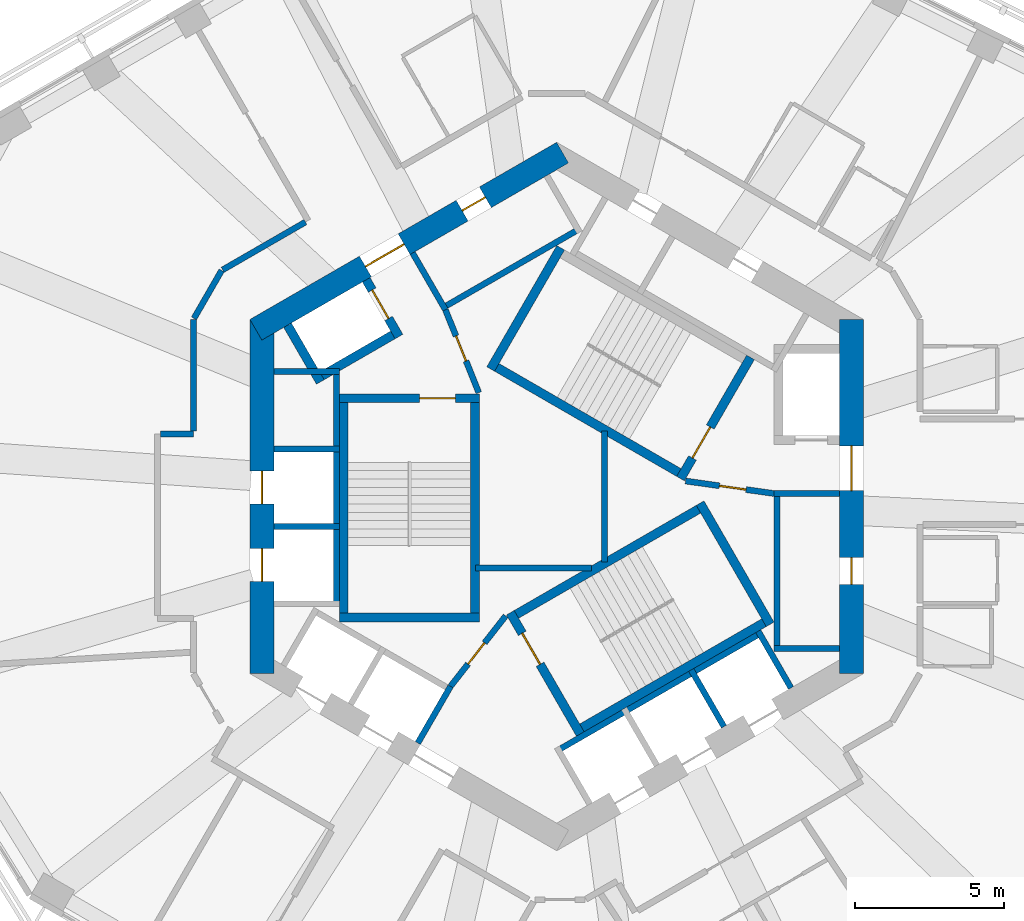
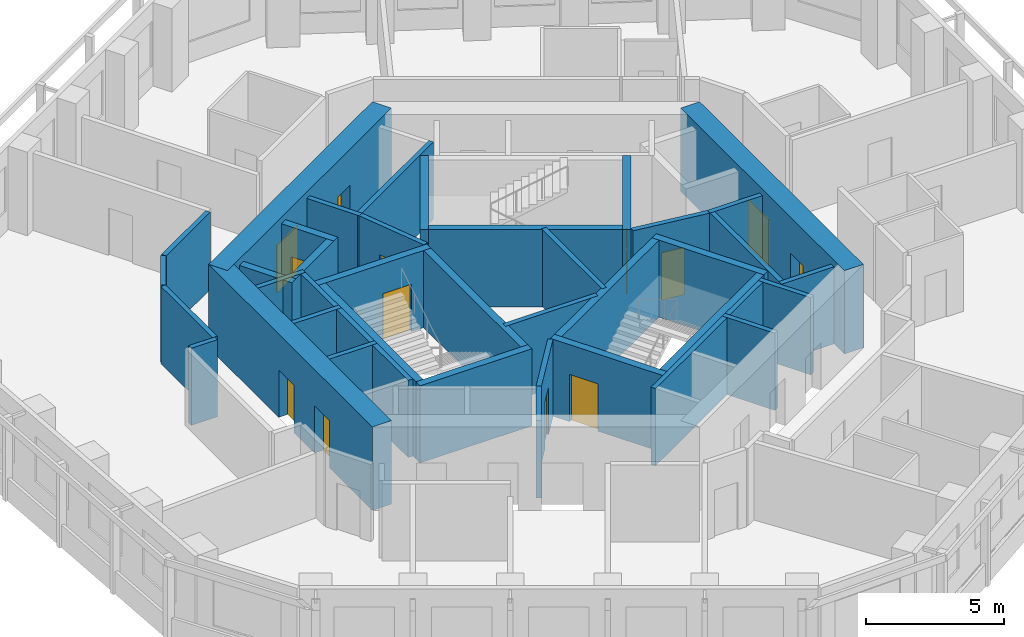
# One storey, part 5 of 11: 39 walls, 13 doors, 13 openings.
"""IFC4 building model written with IfcOpenShell, lengths in metres."""

from ifc_helpers import new_model, si_unit, direction, frame, frame_2d, origin, place, context, subcontext, project, spatial, rectangle, extrude, material, layer, layer_set, type_object, element, fill, save


model = new_model("IFC4")

# Units and contexts
model_context = context("Model", 3, precision=1e-05, world=origin(), true_north=direction((0.0, 1.0)))
body_context = subcontext(model_context, "Body", "Model", "MODEL_VIEW")
ifc_project = project(units=[si_unit("LENGTHUNIT", "METRE"), si_unit("AREAUNIT", "SQUARE_METRE"), si_unit("VOLUMEUNIT", "CUBIC_METRE"), si_unit("PLANEANGLEUNIT", "RADIAN"), si_unit("MASSUNIT", "GRAM", prefix="KILO")], contexts=[model_context])

# Site, building, storey
site_placement = place(None, origin())
site = spatial("IfcSite", under=ifc_project, at=site_placement, CompositionType="ELEMENT")
building_placement = place(site_placement, origin())
building = spatial("IfcBuilding", under=site, at=building_placement, Name="Vanh Sen Convention Tower", CompositionType="ELEMENT")
storey_placement = place(building_placement, frame((0.0, 0.0, 221.699951171875)))
storey = spatial("IfcBuildingStorey", under=building, at=storey_placement, Name="L54", CompositionType="ELEMENT", Elevation=221.699951171875)

# Wall, openings, doors
ifc_material_1 = material(Name="Concrete C60/75", Category="concrete")
ifc_layer_1 = layer(ifc_material_1, 0.800048828125)
ifc_layer_set_1 = layer_set([ifc_layer_1], Name="Concrete C60/75")
wall_type_1 = type_object("IfcWallType", Name="Core outer wall 800 C60/75", PredefinedType="SHEAR", material=ifc_layer_set_1)
wall_1_placement = place(storey_placement, frame((9.89990234375, -5.94677734375, 0.0), z_axis=(0.0, 0.0, 1.0), x_axis=(0.0, 1.0, 0.0)))
wall_1 = element("IfcWall", 1, at=wall_1_placement, inside=storey, type_object=wall_type_1, Name="Core wall face E L54", PredefinedType="SHEAR", context=body_context, shape_type="SweptSolid", body=[
    extrude(rectangle(XDim=11.8935546875, YDim=0.800048828125, at=frame_2d((5.94677734375, 0.0))), origin(), (0.0, 0.0, 1.0), 3.699951171875),
])
opening_1_placement = place(wall_1_placement, frame((6.146728515625, 0.0, 0.0)))
opening_1 = element("IfcOpeningElement", 2, at=opening_1_placement, cuts=wall_1, Name="Opening D52001", PredefinedType="OPENING", context=body_context, shape_type="SweptSolid", body=[
    extrude(rectangle(XDim=1.5, YDim=2.10009765625, at=frame_2d((0.75, 1.050048828125))), frame((0.0, 0.409912109375, 0.0), z_axis=(0.0, -1.0, 0.0), x_axis=(1.0, 0.0, 0.0)), (0.0, 0.0, 1.0), 0.820068359375),
])
opening_2_placement = place(wall_1_placement, frame((2.99658203125, 0.0, 0.0)))
opening_2 = element("IfcOpeningElement", 3, at=opening_2_placement, cuts=wall_1, Name="Opening D52010", PredefinedType="OPENING", context=body_context, shape_type="SweptSolid", body=[
    extrude(rectangle(XDim=0.89990234375, YDim=2.10009765625, at=frame_2d((0.449951171875, 1.050048828125))), frame((0.0, 0.409912109375, 0.0), z_axis=(0.0, -1.0, 0.0), x_axis=(1.0, 0.0, 0.0)), (0.0, 0.0, 1.0), 0.820068359375),
])
ifc_material_2 = material(Name="Steel S355", Category="steel")
door_type_1 = type_object("IfcDoorType", Name="Plant door 900", OperationType="SINGLE_SWING_LEFT", PredefinedType="DOOR", material=ifc_material_2)
door_1_placement = place(opening_2_placement, origin())
door_1 = element("IfcDoor", 4, at=door_1_placement, inside=storey, type_object=door_type_1, Name="Plant door D52010", OperationType="SINGLE_SWING_LEFT", OverallHeight=2.10009765625, OverallWidth=0.89990234375, PredefinedType="DOOR", context=body_context, shape_type="SweptSolid", body=[
    extrude(rectangle(XDim=0.89990234375, YDim=2.10009765625, at=frame_2d((0.449951171875, 1.050048828125))), frame((0.0, 0.02490234375, 0.0), z_axis=(0.0, -1.0, 0.0), x_axis=(1.0, 0.0, 0.0)), (0.0, 0.0, 1.0), 0.050048828125),
])
fill(opening_2, door_1)
door_type_2 = type_object("IfcDoorType", Name="Stair lobby door 1500", OperationType="DOUBLE_DOOR_SINGLE_SWING", PredefinedType="DOOR", material=ifc_material_2)
door_2_placement = place(opening_1_placement, origin())
door_2 = element("IfcDoor", 5, at=door_2_placement, inside=storey, type_object=door_type_2, Name="Stair lobby door D52001", OperationType="DOUBLE_DOOR_SINGLE_SWING", OverallHeight=2.10009765625, OverallWidth=1.5, PredefinedType="DOOR", context=body_context, shape_type="SweptSolid", body=[
    extrude(rectangle(XDim=1.5, YDim=2.10009765625, at=frame_2d((0.75, 1.050048828125))), frame((0.0, 0.02490234375, 0.0), z_axis=(0.0, -1.0, 0.0), x_axis=(1.0, 0.0, 0.0)), (0.0, 0.0, 1.0), 0.050048828125),
])
fill(opening_1, door_2)

wall_2_placement = place(storey_placement, frame((0.199951171875, 11.547119140625, 0.0), z_axis=(0.0, 0.0, 1.0), x_axis=(-0.866023897231, -0.500002609418, 0.0)))
wall_2 = element("IfcWall", 6, at=wall_2_placement, inside=storey, type_object=wall_type_1, Name="Core wall face NW L54", PredefinedType="SHEAR", context=body_context, shape_type="SweptSolid", body=[
    extrude(rectangle(XDim=11.8935546875, YDim=0.800048828125, at=frame_2d((5.94677734375, 0.0))), origin(), (0.0, 0.0, 1.0), 3.699951171875),
])
opening_3_placement = place(wall_2_placement, frame((6.146728515625, 0.0, 0.0)))
opening_3 = element("IfcOpeningElement", 7, at=opening_3_placement, cuts=wall_2, Name="Opening D52002", PredefinedType="OPENING", context=body_context, shape_type="SweptSolid", body=[
    extrude(rectangle(XDim=1.5, YDim=2.10009765625, at=frame_2d((0.75, 1.050048828125))), frame((0.0, 0.409912109375, 0.0), z_axis=(0.0, -1.0, 0.0), x_axis=(1.0, 0.0, 0.0)), (0.0, 0.0, 1.0), 0.820068359375),
])
opening_4_placement = place(wall_2_placement, frame((2.99658203125, 0.0, 0.0)))
opening_4 = element("IfcOpeningElement", 8, at=opening_4_placement, cuts=wall_2, Name="Opening D52013", PredefinedType="OPENING", context=body_context, shape_type="SweptSolid", body=[
    extrude(rectangle(XDim=0.89990234375, YDim=2.10009765625, at=frame_2d((0.449951171875, 1.050048828125))), frame((0.0, 0.409912109375, 0.0), z_axis=(0.0, -1.0, 0.0), x_axis=(1.0, 0.0, 0.0)), (0.0, 0.0, 1.0), 0.820068359375),
])
door_3_placement = place(opening_4_placement, origin())
door_3 = element("IfcDoor", 9, at=door_3_placement, inside=storey, type_object=door_type_1, Name="Plant door D52013", OperationType="SINGLE_SWING_LEFT", OverallHeight=2.10009765625, OverallWidth=0.89990234375, PredefinedType="DOOR", context=body_context, shape_type="SweptSolid", body=[
    extrude(rectangle(XDim=0.89990234375, YDim=2.10009765625, at=frame_2d((0.449951171875, 1.050048828125))), frame((0.0, 0.02490234375, 0.0), z_axis=(0.0, -1.0, 0.0), x_axis=(1.0, 0.0, 0.0)), (0.0, 0.0, 1.0), 0.050048828125),
])
fill(opening_4, door_3)
door_4_placement = place(opening_3_placement, origin())
door_4 = element("IfcDoor", 10, at=door_4_placement, inside=storey, type_object=door_type_2, Name="Stair lobby door D52002", OperationType="DOUBLE_DOOR_SINGLE_SWING", OverallHeight=2.10009765625, OverallWidth=1.5, PredefinedType="DOOR", context=body_context, shape_type="SweptSolid", body=[
    extrude(rectangle(XDim=1.5, YDim=2.10009765625, at=frame_2d((0.75, 1.050048828125))), frame((0.0, 0.02490234375, 0.0), z_axis=(0.0, -1.0, 0.0), x_axis=(1.0, 0.0, 0.0)), (0.0, 0.0, 1.0), 0.050048828125),
])
fill(opening_3, door_4)

wall_3_placement = place(storey_placement, frame((-9.89990234375, 5.94677734375, 0.0), z_axis=(0.0, 0.0, 1.0), x_axis=(0.0, -1.0, 0.0)))
wall_3 = element("IfcWall", 11, at=wall_3_placement, inside=storey, type_object=wall_type_1, Name="Core wall face W L54", PredefinedType="SHEAR", context=body_context, shape_type="SweptSolid", body=[
    extrude(rectangle(XDim=11.8935546875, YDim=0.800048828125, at=frame_2d((5.94677734375, 0.0))), origin(), (0.0, 0.0, 1.0), 3.699951171875),
])
opening_5_placement = place(wall_3_placement, frame((5.0966796875, 0.0, 0.0)))
opening_5 = element("IfcOpeningElement", 12, at=opening_5_placement, cuts=wall_3, Name="Opening LD-HR1", PredefinedType="OPENING", context=body_context, shape_type="SweptSolid", body=[
    extrude(rectangle(XDim=1.10009765625, YDim=2.10009765625, at=frame_2d((0.550048828125, 1.050048828125))), frame((0.0, 0.409912109375, 0.0), z_axis=(0.0, -1.0, 0.0), x_axis=(1.0, 0.0, 0.0)), (0.0, 0.0, 1.0), 0.820068359375),
])
opening_6_placement = place(wall_3_placement, frame((7.69677734375, 0.0, 0.0)))
opening_6 = element("IfcOpeningElement", 13, at=opening_6_placement, cuts=wall_3, Name="Opening LD-HR2", PredefinedType="OPENING", context=body_context, shape_type="SweptSolid", body=[
    extrude(rectangle(XDim=1.10009765625, YDim=2.10009765625, at=frame_2d((0.550048828125, 1.050048828125))), frame((0.0, 0.409912109375, 0.0), z_axis=(0.0, -1.0, 0.0), x_axis=(1.0, 0.0, 0.0)), (0.0, 0.0, 1.0), 0.820068359375),
])
ifc_material_3 = material(Name="Stainless steel", Category="steel")
door_type_3 = type_object("IfcDoorType", Name="Lift landing door 1100", OperationType="DOUBLE_DOOR_SLIDING", PredefinedType="DOOR", material=ifc_material_3)
door_5_placement = place(opening_5_placement, origin())
door_5 = element("IfcDoor", 14, at=door_5_placement, inside=storey, type_object=door_type_3, Name="Lift HR1 landing door LD-HR1", OperationType="DOUBLE_DOOR_SLIDING", OverallHeight=2.10009765625, OverallWidth=1.10009765625, PredefinedType="DOOR", context=body_context, shape_type="SweptSolid", body=[
    extrude(rectangle(XDim=1.10009765625, YDim=2.10009765625, at=frame_2d((0.550048828125, 1.050048828125))), frame((0.0, 0.02490234375, 0.0), z_axis=(0.0, -1.0, 0.0), x_axis=(1.0, 0.0, 0.0)), (0.0, 0.0, 1.0), 0.050048828125),
])
fill(opening_5, door_5)
door_6_placement = place(opening_6_placement, origin())
door_6 = element("IfcDoor", 15, at=door_6_placement, inside=storey, type_object=door_type_3, Name="Lift HR2 landing door LD-HR2", OperationType="DOUBLE_DOOR_SLIDING", OverallHeight=2.10009765625, OverallWidth=1.10009765625, PredefinedType="DOOR", context=body_context, shape_type="SweptSolid", body=[
    extrude(rectangle(XDim=1.10009765625, YDim=2.10009765625, at=frame_2d((0.550048828125, 1.050048828125))), frame((0.0, 0.02490234375, 0.0), z_axis=(0.0, -1.0, 0.0), x_axis=(1.0, 0.0, 0.0)), (0.0, 0.0, 1.0), 0.050048828125),
])
fill(opening_6, door_6)

# Walls
ifc_material_4 = material(Name="Masonry blockwork", Category="masonry")
ifc_layer_2 = layer(ifc_material_4, 0.199951171875)
ifc_layer_set_2 = layer_set([ifc_layer_2], Name="Masonry blockwork")
wall_type_2 = type_object("IfcWallType", Name="Core partition 200", PredefinedType="PARTITIONING", material=ifc_layer_set_2)
wall_4_placement = place(storey_placement, frame((-2.719970703125, -2.39990234375, 0.0), z_axis=(0.0, 0.0, 1.0), x_axis=(1.0, 0.0, 0.0)))
element("IfcWall", 16, at=wall_4_placement, inside=storey, type_object=wall_type_2, Name="Core partition L54", PredefinedType="PARTITIONING", context=body_context, shape_type="SweptSolid", body=[
    extrude(rectangle(XDim=3.883056640625, YDim=0.199951171875, at=frame_2d((1.94140625, 0.0))), origin(), (0.0, 0.0, 1.0), 3.420166015625),
])
wall_5_placement = place(storey_placement, frame((1.60009765625, -2.198486328125, 0.0), z_axis=(0.0, 0.0, 1.0), x_axis=(0.0, 1.0, 0.0)))
element("IfcWall", 17, at=wall_5_placement, inside=storey, type_object=wall_type_2, Name="Core partition L54", PredefinedType="PARTITIONING", context=body_context, shape_type="SweptSolid", body=[
    extrude(rectangle(XDim=4.39697265625, YDim=0.199951171875, at=frame_2d((2.198486328125, 0.0))), origin(), (0.0, 0.0, 1.0), 3.420166015625),
])
ifc_material_5 = material(Name="Gypsum board on steel studs with mineral wool", Category="steel")
ifc_layer_3 = layer(ifc_material_5, 0.199951171875)
ifc_layer_set_3 = layer_set([ifc_layer_3], Name="Gypsum board on steel studs with mineral wool")
wall_type_3 = type_object("IfcWallType", Name="Corridor partition wall 200", PredefinedType="PARTITIONING", material=ifc_layer_set_3)
wall_6_placement = place(storey_placement, frame((-12.199951171875, 2.10107421875, 0.0), z_axis=(0.0, 0.0, 1.0), x_axis=(-1.0, 0.0, 0.0)))
element("IfcWall", 18, at=wall_6_placement, inside=storey, type_object=wall_type_3, Name="Corridor partition wall 200", PredefinedType="PARTITIONING", context=body_context, shape_type="SweptSolid", body=[
    extrude(rectangle(XDim=1.10107421875, YDim=0.199951171875, at=frame_2d((0.550537109375, 0.0))), origin(), (0.0, 0.0, 1.0), 3.420166015625),
])
wall_7_placement = place(storey_placement, frame((-12.199951171875, 5.94677734375, 0.0), z_axis=(0.0, 0.0, 1.0), x_axis=(0.0, -1.0, 0.0)))
element("IfcWall", 19, at=wall_7_placement, inside=storey, type_object=wall_type_3, Name="Corridor partition wall 200", PredefinedType="PARTITIONING", context=body_context, shape_type="SweptSolid", body=[
    extrude(rectangle(XDim=3.745849609375, YDim=0.199951171875, at=frame_2d((1.873046875, 0.0))), origin(), (0.0, 0.0, 1.0), 3.420166015625),
])
wall_8_placement = place(storey_placement, frame((-11.25, 7.592041015625, 0.0), z_axis=(0.0, 0.0, 1.0), x_axis=(-0.499964847546, -0.866045698112, 0.0)))
element("IfcWall", 20, at=wall_8_placement, inside=storey, type_object=wall_type_3, Name="Corridor partition wall 200", PredefinedType="PARTITIONING", context=body_context, shape_type="SweptSolid", body=[
    extrude(rectangle(XDim=1.860107421875, YDim=0.199951171875, at=frame_2d((0.93017578125, 0.0))), origin(), (0.0, 0.0, 1.0), 3.420166015625),
])
wall_9_placement = place(storey_placement, frame((-8.4365234375, 9.216552734375, 0.0), z_axis=(0.0, 0.0, 1.0), x_axis=(-0.866005660673, -0.500034194513, 0.0)))
element("IfcWall", 21, at=wall_9_placement, inside=storey, type_object=wall_type_3, Name="Corridor partition wall 200", PredefinedType="PARTITIONING", context=body_context, shape_type="SweptSolid", body=[
    extrude(rectangle(XDim=3.208740234375, YDim=0.199951171875, at=frame_2d((1.6044921875, 0.0))), origin(), (0.0, 0.0, 1.0), 3.420166015625),
])

# Wall, opening, door
ifc_layer_4 = layer(ifc_material_1, 0.300048828125)
ifc_layer_set_4 = layer_set([ifc_layer_4], Name="Concrete C60/75")
wall_type_4 = type_object("IfcWallType", Name="Fire-fighting lift shaft wall 300", PredefinedType="SHEAR", material=ifc_layer_set_4)
wall_10_placement = place(storey_placement, frame((-5.29541015625, 5.3720703125, 0.0), z_axis=(0.0, 0.0, 1.0), x_axis=(-0.500077893725, 0.86598042715, 0.0)))
wall_10 = element("IfcWall", 22, at=wall_10_placement, inside=storey, type_object=wall_type_4, Name="Fire-fighting lift shaft wall L54", PredefinedType="SHEAR", context=body_context, shape_type="SweptSolid", body=[
    extrude(rectangle(XDim=2.199951171875, YDim=0.300048828125, at=frame_2d((1.10009765625, 0.0))), origin(), (0.0, 0.0, 1.0), 3.420166015625),
])
opening_7_placement = place(wall_10_placement, frame((0.699951171875, 0.0, 0.0)))
opening_7 = element("IfcOpeningElement", 23, at=opening_7_placement, cuts=wall_10, Name="Opening LD-FF2", PredefinedType="OPENING", context=body_context, shape_type="SweptSolid", body=[
    extrude(rectangle(XDim=1.10009765625, YDim=2.10009765625, at=frame_2d((0.550048828125, 1.050048828125))), frame((0.0, 0.159912109375, 0.0), z_axis=(0.0, -1.0, 0.0), x_axis=(1.0, 0.0, 0.0)), (0.0, 0.0, 1.0), 0.320068359375),
])
door_type_4 = type_object("IfcDoorType", Name="Fire-fighting lift landing door 1100", OperationType="DOUBLE_DOOR_SLIDING", PredefinedType="DOOR", material=ifc_material_3)
door_7_placement = place(opening_7_placement, origin())
door_7 = element("IfcDoor", 24, at=door_7_placement, inside=storey, type_object=door_type_4, Name="Lift FF2 landing door LD-FF2", OperationType="DOUBLE_DOOR_SLIDING", OverallHeight=2.10009765625, OverallWidth=1.10009765625, PredefinedType="DOOR", context=body_context, shape_type="SweptSolid", body=[
    extrude(rectangle(XDim=1.10009765625, YDim=2.10009765625, at=frame_2d((0.550048828125, 1.050048828125))), frame((0.0, 0.02490234375, 0.0), z_axis=(0.0, -1.0, 0.0), x_axis=(1.0, 0.0, 0.0)), (0.0, 0.0, 1.0), 0.050048828125),
])
fill(opening_7, door_7)

# Walls
wall_11_placement = place(storey_placement, frame((-5.240478515625, 5.576904296875, 0.0), z_axis=(0.0, 0.0, 1.0), x_axis=(-0.866014461049, -0.500018952895, 0.0)))
element("IfcWall", 25, at=wall_11_placement, inside=storey, type_object=wall_type_4, Name="Fire-fighting lift shaft wall L54", PredefinedType="SHEAR", context=body_context, shape_type="SweptSolid", body=[
    extrude(rectangle(XDim=3.349853515625, YDim=0.300048828125, at=frame_2d((1.6748046875, 0.0))), origin(), (0.0, 0.0, 1.0), 3.420166015625),
])
wall_12_placement = place(storey_placement, frame((-7.936767578125, 3.846923828125, 0.0), z_axis=(0.0, 0.0, 1.0), x_axis=(-0.50002983664, 0.866008176907, 0.0)))
element("IfcWall", 26, at=wall_12_placement, inside=storey, type_object=wall_type_4, Name="Fire-fighting lift shaft wall L54", PredefinedType="SHEAR", context=body_context, shape_type="SweptSolid", body=[
    extrude(rectangle(XDim=2.199951171875, YDim=0.300048828125, at=frame_2d((1.10009765625, 0.0))), origin(), (0.0, 0.0, 1.0), 3.420166015625),
])
ifc_material_6 = material(Name="Concrete C40/50", Category="concrete")
ifc_layer_5 = layer(ifc_material_6, 0.199951171875)
ifc_layer_set_5 = layer_set([ifc_layer_5], Name="Concrete C40/50")
wall_type_5 = type_object("IfcWallType", Name="Lift shaft wall 200", PredefinedType="PARTITIONING", material=ifc_layer_set_5)
wall_13_placement = place(storey_placement, frame((7.39990234375, -5.199951171875, 0.0), z_axis=(0.0, 0.0, 1.0), x_axis=(0.0, 1.0, 0.0)))
element("IfcWall", 27, at=wall_13_placement, inside=storey, type_object=wall_type_5, Name="Lift shaft wall L54", PredefinedType="PARTITIONING", context=body_context, shape_type="SweptSolid", body=[
    extrude(rectangle(XDim=5.39990234375, YDim=0.199951171875, at=frame_2d((2.699951171875, 0.0))), origin(), (0.0, 0.0, 1.0), 3.420166015625),
])
for number, where, z_axis, x_axis, name in (
    (28, (7.300048828125, -5.10009765625, 0.0), (0.0, 0.0, 1.0), (1.0, 0.0, 0.0), "Lift shaft wall L54"),
    (29, (7.300048828125, 0.10009765625, 0.0), (0.0, 0.0, 1.0), (1.0, 0.0, 0.0), "Lift shaft wall L54"),
):
    element("IfcWall", number, at=place(storey_placement, frame(where, z_axis=z_axis, x_axis=x_axis)), inside=storey, type_object=wall_type_5, Name=name, PredefinedType="PARTITIONING", context=body_context, shape_type="SweptSolid", body=[
        extrude(rectangle(XDim=2.199951171875, YDim=0.199951171875, at=frame_2d((1.10009765625, 0.0))), origin(), (0.0, 0.0, 1.0), 3.420166015625),
    ])
wall_14_placement = place(storey_placement, frame((0.80322265625, 9.008544921875, 0.0), z_axis=(0.0, 0.0, 1.0), x_axis=(-0.866028230842, -0.499995103361, 0.0)))
element("IfcWall", 30, at=wall_14_placement, inside=storey, type_object=wall_type_5, Name="Lift shaft wall L54", PredefinedType="PARTITIONING", context=body_context, shape_type="SweptSolid", body=[
    extrude(rectangle(XDim=5.39990234375, YDim=0.199951171875, at=frame_2d((2.699951171875, 0.0))), origin(), (0.0, 0.0, 1.0), 3.420166015625),
])
wall_15_placement = place(storey_placement, frame((-3.736572265625, 6.27197265625, 0.0), z_axis=(0.0, 0.0, 1.0), x_axis=(-0.50002983664, 0.866008176907, 0.0)))
element("IfcWall", 31, at=wall_15_placement, inside=storey, type_object=wall_type_5, Name="Lift shaft wall L54", PredefinedType="PARTITIONING", context=body_context, shape_type="SweptSolid", body=[
    extrude(rectangle(XDim=2.199951171875, YDim=0.199951171875, at=frame_2d((1.10009765625, 0.0))), origin(), (0.0, 0.0, 1.0), 3.420166015625),
])
wall_16_placement = place(storey_placement, frame((-7.39990234375, 4.300048828125, 0.0), z_axis=(0.0, 0.0, 1.0), x_axis=(0.0, -1.0, 0.0)))
element("IfcWall", 32, at=wall_16_placement, inside=storey, type_object=wall_type_5, Name="Lift shaft wall L54", PredefinedType="PARTITIONING", context=body_context, shape_type="SweptSolid", body=[
    extrude(rectangle(XDim=8.0, YDim=0.199951171875, at=frame_2d((4.0, 0.0))), origin(), (0.0, 0.0, 1.0), 3.420166015625),
])
for number, where, z_axis, x_axis, name in (
    (33, (-7.300048828125, 4.199951171875, 0.0), (0.0, 0.0, 1.0), (-1.0, 0.0, 0.0), "Lift shaft wall L54"),
    (34, (-7.300048828125, 1.60009765625, 0.0), (0.0, 0.0, 1.0), (-1.0, 0.0, 0.0), "Lift shaft wall L54"),
    (35, (-7.300048828125, -1.0, 0.0), (0.0, 0.0, 1.0), (-1.0, 0.0, 0.0), "Lift shaft wall L54"),
):
    element("IfcWall", number, at=place(storey_placement, frame(where, z_axis=z_axis, x_axis=x_axis)), inside=storey, type_object=wall_type_5, Name=name, PredefinedType="PARTITIONING", context=body_context, shape_type="SweptSolid", body=[
        extrude(rectangle(XDim=2.199951171875, YDim=0.199951171875, at=frame_2d((1.10009765625, 0.0))), origin(), (0.0, 0.0, 1.0), 3.420166015625),
    ])
wall_17_placement = place(storey_placement, frame((-3.5634765625, -6.3720703125, 0.0), z_axis=(0.0, 0.0, 1.0), x_axis=(-0.499994660107, -0.866028486751, 0.0)))
element("IfcWall", 36, at=wall_17_placement, inside=storey, type_object=wall_type_5, Name="Lift shaft wall L54", PredefinedType="PARTITIONING", context=body_context, shape_type="SweptSolid", body=[
    extrude(rectangle(XDim=2.19970703125, YDim=0.199951171875, at=frame_2d((1.099853515625, 0.0))), origin(), (0.0, 0.0, 1.0), 3.420166015625),
])
wall_18_placement = place(storey_placement, frame((-0.02392578125, -8.55859375, 0.0), z_axis=(0.0, 0.0, 1.0), x_axis=(0.866026010844, 0.49999894854, 0.0)))
element("IfcWall", 37, at=wall_18_placement, inside=storey, type_object=wall_type_5, Name="Lift shaft wall L54", PredefinedType="PARTITIONING", context=body_context, shape_type="SweptSolid", body=[
    extrude(rectangle(XDim=8.0, YDim=0.199951171875, at=frame_2d((4.0, 0.0))), origin(), (0.0, 0.0, 1.0), 3.420166015625),
])
for number, where, z_axis, x_axis, name in (
    (38, (4.51611328125, -5.822021484375, 0.0), (0.0, 0.0, 1.0), (0.499946605688, -0.86605622881, 0.0), "Lift shaft wall L54"),
    (39, (6.767578125, -4.52197265625, 0.0), (0.0, 0.0, 1.0), (0.50002983664, -0.866008176907, 0.0), "Lift shaft wall L54"),
):
    element("IfcWall", number, at=place(storey_placement, frame(where, z_axis=z_axis, x_axis=x_axis)), inside=storey, type_object=wall_type_5, Name=name, PredefinedType="PARTITIONING", context=body_context, shape_type="SweptSolid", body=[
        extrude(rectangle(XDim=2.199951171875, YDim=0.199951171875, at=frame_2d((1.10009765625, 0.0))), origin(), (0.0, 0.0, 1.0), 3.420166015625),
    ])

# Wall, opening, door
ifc_layer_6 = layer(ifc_material_6, 0.199951171875)
ifc_layer_set_6 = layer_set([ifc_layer_6], Name="Concrete C40/50")
wall_type_6 = type_object("IfcWallType", Name="Stair lobby wall 200", PredefinedType="PARTITIONING", material=ifc_layer_set_6)
wall_19_placement = place(storey_placement, frame((4.327392578125, 0.52099609375, 0.0), z_axis=(0.0, 0.0, 1.0), x_axis=(0.990124376366, -0.14019172346, 0.0)))
wall_19 = element("IfcWall", 40, at=wall_19_placement, inside=storey, type_object=wall_type_6, Name="Stair lobby wall L54", PredefinedType="PARTITIONING", context=body_context, shape_type="SweptSolid", body=[
    extrude(rectangle(XDim=3.002197265625, YDim=0.199951171875, at=frame_2d((1.5009765625, 0.0))), origin(), (0.0, 0.0, 1.0), 3.420166015625),
])
opening_8_placement = place(wall_19_placement, frame((1.14990234375, 0.0, 0.0)))
opening_8 = element("IfcOpeningElement", 41, at=opening_8_placement, cuts=wall_19, Name="Opening D52007", PredefinedType="OPENING", context=body_context, shape_type="SweptSolid", body=[
    extrude(rectangle(XDim=0.89990234375, YDim=2.10009765625, at=frame_2d((0.449951171875, 1.050048828125))), frame((0.0, 0.10986328125, 0.0), z_axis=(0.0, -1.0, 0.0), x_axis=(1.0, 0.0, 0.0)), (0.0, 0.0, 1.0), 0.219970703125),
])
door_8_placement = place(opening_8_placement, origin())
door_8 = element("IfcDoor", 42, at=door_8_placement, inside=storey, type_object=door_type_1, Name="Plant door D52007", OperationType="SINGLE_SWING_LEFT", OverallHeight=2.10009765625, OverallWidth=0.89990234375, PredefinedType="DOOR", context=body_context, shape_type="SweptSolid", body=[
    extrude(rectangle(XDim=0.89990234375, YDim=2.10009765625, at=frame_2d((0.449951171875, 1.050048828125))), frame((0.0, 0.02490234375, 0.0), z_axis=(0.0, -1.0, 0.0), x_axis=(1.0, 0.0, 0.0)), (0.0, 0.0, 1.0), 0.050048828125),
])
fill(opening_8, door_8)

wall_20_placement = place(storey_placement, frame((-2.614990234375, 3.487060546875, 0.0), z_axis=(0.0, 0.0, 1.0), x_axis=(-0.373576831041, 0.92759924068, 0.0)))
wall_20 = element("IfcWall", 43, at=wall_20_placement, inside=storey, type_object=wall_type_6, Name="Stair lobby wall L54", PredefinedType="PARTITIONING", context=body_context, shape_type="SweptSolid", body=[
    extrude(rectangle(XDim=3.002197265625, YDim=0.199951171875, at=frame_2d((1.5009765625, 0.0))), origin(), (0.0, 0.0, 1.0), 3.420166015625),
])
opening_9_placement = place(wall_20_placement, frame((1.14990234375, 0.0, 0.0)))
opening_9 = element("IfcOpeningElement", 44, at=opening_9_placement, cuts=wall_20, Name="Opening D52008", PredefinedType="OPENING", context=body_context, shape_type="SweptSolid", body=[
    extrude(rectangle(XDim=0.89990234375, YDim=2.10009765625, at=frame_2d((0.449951171875, 1.050048828125))), frame((0.0, 0.10986328125, 0.0), z_axis=(0.0, -1.0, 0.0), x_axis=(1.0, 0.0, 0.0)), (0.0, 0.0, 1.0), 0.219970703125),
])
door_9_placement = place(opening_9_placement, origin())
door_9 = element("IfcDoor", 45, at=door_9_placement, inside=storey, type_object=door_type_1, Name="Plant door D52008", OperationType="SINGLE_SWING_LEFT", OverallHeight=2.10009765625, OverallWidth=0.89990234375, PredefinedType="DOOR", context=body_context, shape_type="SweptSolid", body=[
    extrude(rectangle(XDim=0.89990234375, YDim=2.10009765625, at=frame_2d((0.449951171875, 1.050048828125))), frame((0.0, 0.02490234375, 0.0), z_axis=(0.0, -1.0, 0.0), x_axis=(1.0, 0.0, 0.0)), (0.0, 0.0, 1.0), 0.050048828125),
])
fill(opening_9, door_9)

wall_21_placement = place(storey_placement, frame((-1.71240234375, -4.00830078125, 0.0), z_axis=(0.0, 0.0, 1.0), x_axis=(-0.616549420702, -0.787316208287, 0.0)))
wall_21 = element("IfcWall", 46, at=wall_21_placement, inside=storey, type_object=wall_type_6, Name="Stair lobby wall L54", PredefinedType="PARTITIONING", context=body_context, shape_type="SweptSolid", body=[
    extrude(rectangle(XDim=3.002197265625, YDim=0.199951171875, at=frame_2d((1.5009765625, 0.0))), origin(), (0.0, 0.0, 1.0), 3.420166015625),
])
opening_10_placement = place(wall_21_placement, frame((1.14990234375, 0.0, 0.0)))
opening_10 = element("IfcOpeningElement", 47, at=opening_10_placement, cuts=wall_21, Name="Opening D52009", PredefinedType="OPENING", context=body_context, shape_type="SweptSolid", body=[
    extrude(rectangle(XDim=0.89990234375, YDim=2.10009765625, at=frame_2d((0.449951171875, 1.050048828125))), frame((0.0, 0.10986328125, 0.0), z_axis=(0.0, -1.0, 0.0), x_axis=(1.0, 0.0, 0.0)), (0.0, 0.0, 1.0), 0.219970703125),
])
door_10_placement = place(opening_10_placement, origin())
door_10 = element("IfcDoor", 48, at=door_10_placement, inside=storey, type_object=door_type_1, Name="Plant door D52009", OperationType="SINGLE_SWING_LEFT", OverallHeight=2.10009765625, OverallWidth=0.89990234375, PredefinedType="DOOR", context=body_context, shape_type="SweptSolid", body=[
    extrude(rectangle(XDim=0.89990234375, YDim=2.10009765625, at=frame_2d((0.449951171875, 1.050048828125))), frame((0.0, 0.02490234375, 0.0), z_axis=(0.0, -1.0, 0.0), x_axis=(1.0, 0.0, 0.0)), (0.0, 0.0, 1.0), 0.050048828125),
])
fill(opening_10, door_10)

ifc_layer_7 = layer(ifc_material_1, 0.300048828125)
ifc_layer_set_7 = layer_set([ifc_layer_7], Name="Concrete C60/75")
wall_type_7 = type_object("IfcWallType", Name="Stair wall 300", PredefinedType="SHEAR", material=ifc_layer_set_7)
wall_22_placement = place(storey_placement, frame((4.157958984375, 0.601806640625, 0.0), z_axis=(0.0, 0.0, 1.0), x_axis=(0.499977259774, 0.866038532462, 0.0)))
wall_22 = element("IfcWall", 49, at=wall_22_placement, inside=storey, type_object=wall_type_7, Name="Stair wall L54", PredefinedType="SHEAR", context=body_context, shape_type="SweptSolid", body=[
    extrude(rectangle(XDim=4.699951171875, YDim=0.300048828125, at=frame_2d((2.35009765625, 0.0))), origin(), (0.0, 0.0, 1.0), 3.420166015625),
])
opening_11_placement = place(wall_22_placement, frame((0.800048828125, 0.0, 0.0)))
opening_11 = element("IfcOpeningElement", 50, at=opening_11_placement, cuts=wall_22, Name="Opening D52004", PredefinedType="OPENING", context=body_context, shape_type="SweptSolid", body=[
    extrude(rectangle(XDim=1.199951171875, YDim=2.10009765625, at=frame_2d((0.60009765625, 1.050048828125))), frame((0.0, 0.159912109375, 0.0), z_axis=(0.0, -1.0, 0.0), x_axis=(1.0, 0.0, 0.0)), (0.0, 0.0, 1.0), 0.320068359375),
])
door_type_5 = type_object("IfcDoorType", Name="Stair door 1200", OperationType="SINGLE_SWING_RIGHT", PredefinedType="DOOR", material=ifc_material_2)
door_11_placement = place(opening_11_placement, origin())
door_11 = element("IfcDoor", 51, at=door_11_placement, inside=storey, type_object=door_type_5, Name="Stair ST1 door D52004", OperationType="SINGLE_SWING_RIGHT", OverallHeight=2.10009765625, OverallWidth=1.199951171875, PredefinedType="DOOR", context=body_context, shape_type="SweptSolid", body=[
    extrude(rectangle(XDim=1.199951171875, YDim=2.10009765625, at=frame_2d((0.60009765625, 1.050048828125))), frame((0.0, 0.02490234375, 0.0), z_axis=(0.0, -1.0, 0.0), x_axis=(1.0, 0.0, 0.0)), (0.0, 0.0, 1.0), 0.050048828125),
])
fill(opening_11, door_11)

# Walls
wall_23_placement = place(storey_placement, frame((-2.216064453125, 4.28173828125, 0.0), z_axis=(0.0, 0.0, 1.0), x_axis=(0.499977259774, 0.866038532462, 0.0)))
element("IfcWall", 52, at=wall_23_placement, inside=storey, type_object=wall_type_7, Name="Stair wall L54", PredefinedType="SHEAR", context=body_context, shape_type="SweptSolid", body=[
    extrude(rectangle(XDim=4.699951171875, YDim=0.300048828125, at=frame_2d((2.35009765625, 0.0))), origin(), (0.0, 0.0, 1.0), 3.420166015625),
])
wall_24_placement = place(storey_placement, frame((4.10302734375, 0.806640625, 0.0), z_axis=(0.0, 0.0, 1.0), x_axis=(-0.866027801685, 0.499995846692, 0.0)))
element("IfcWall", 53, at=wall_24_placement, inside=storey, type_object=wall_type_7, Name="Stair wall L54", PredefinedType="SHEAR", context=body_context, shape_type="SweptSolid", body=[
    extrude(rectangle(XDim=7.06005859375, YDim=0.300048828125, at=frame_2d((3.530029296875, 0.0))), origin(), (0.0, 0.0, 1.0), 3.420166015625),
])

# Wall, opening, door
wall_25_placement = place(storey_placement, frame((-2.60009765625, 3.300048828125, 0.0), z_axis=(0.0, 0.0, 1.0), x_axis=(-1.0, 0.0, 0.0)))
wall_25 = element("IfcWall", 54, at=wall_25_placement, inside=storey, type_object=wall_type_7, Name="Stair wall L54", PredefinedType="SHEAR", context=body_context, shape_type="SweptSolid", body=[
    extrude(rectangle(XDim=4.699951171875, YDim=0.300048828125, at=frame_2d((2.35009765625, 0.0))), origin(), (0.0, 0.0, 1.0), 3.420166015625),
])
opening_12_placement = place(wall_25_placement, frame((0.800048828125, 0.0, 0.0)))
opening_12 = element("IfcOpeningElement", 55, at=opening_12_placement, cuts=wall_25, Name="Opening D52005", PredefinedType="OPENING", context=body_context, shape_type="SweptSolid", body=[
    extrude(rectangle(XDim=1.199951171875, YDim=2.10009765625, at=frame_2d((0.60009765625, 1.050048828125))), frame((0.0, 0.159912109375, 0.0), z_axis=(0.0, -1.0, 0.0), x_axis=(1.0, 0.0, 0.0)), (0.0, 0.0, 1.0), 0.320068359375),
])
door_12_placement = place(opening_12_placement, origin())
door_12 = element("IfcDoor", 56, at=door_12_placement, inside=storey, type_object=door_type_5, Name="Stair ST2 door D52005", OperationType="SINGLE_SWING_RIGHT", OverallHeight=2.10009765625, OverallWidth=1.199951171875, PredefinedType="DOOR", context=body_context, shape_type="SweptSolid", body=[
    extrude(rectangle(XDim=1.199951171875, YDim=2.10009765625, at=frame_2d((0.60009765625, 1.050048828125))), frame((0.0, 0.02490234375, 0.0), z_axis=(0.0, -1.0, 0.0), x_axis=(1.0, 0.0, 0.0)), (0.0, 0.0, 1.0), 0.050048828125),
])
fill(opening_12, door_12)

# Walls
wall_26_placement = place(storey_placement, frame((-2.60009765625, -4.06005859375, 0.0), z_axis=(0.0, 0.0, 1.0), x_axis=(-1.0, 0.0, 0.0)))
element("IfcWall", 57, at=wall_26_placement, inside=storey, type_object=wall_type_7, Name="Stair wall L54", PredefinedType="SHEAR", context=body_context, shape_type="SweptSolid", body=[
    extrude(rectangle(XDim=4.699951171875, YDim=0.300048828125, at=frame_2d((2.35009765625, 0.0))), origin(), (0.0, 0.0, 1.0), 3.420166015625),
])
for number, where, z_axis, x_axis, name in (
    (58, (-2.75, 3.14990234375, 0.0), (0.0, 0.0, 1.0), (0.0, -1.0, 0.0), "Stair wall L54"),
    (59, (-7.14990234375, 3.14990234375, 0.0), (0.0, 0.0, 1.0), (0.0, -1.0, 0.0), "Stair wall L54"),
):
    element("IfcWall", number, at=place(storey_placement, frame(where, z_axis=z_axis, x_axis=x_axis)), inside=storey, type_object=wall_type_7, Name=name, PredefinedType="SHEAR", context=body_context, shape_type="SweptSolid", body=[
        extrude(rectangle(XDim=7.059814453125, YDim=0.300048828125, at=frame_2d((3.52978515625, 0.0))), origin(), (0.0, 0.0, 1.0), 3.420166015625),
    ])

# Wall, opening, door
wall_27_placement = place(storey_placement, frame((-1.557861328125, -3.901611328125, 0.0), z_axis=(0.0, 0.0, 1.0), x_axis=(0.499977259774, -0.866038532462, 0.0)))
wall_27 = element("IfcWall", 60, at=wall_27_placement, inside=storey, type_object=wall_type_7, Name="Stair wall L54", PredefinedType="SHEAR", context=body_context, shape_type="SweptSolid", body=[
    extrude(rectangle(XDim=4.699951171875, YDim=0.300048828125, at=frame_2d((2.35009765625, 0.0))), origin(), (0.0, 0.0, 1.0), 3.420166015625),
])
opening_13_placement = place(wall_27_placement, frame((0.800048828125, 0.0, 0.0)))
opening_13 = element("IfcOpeningElement", 61, at=opening_13_placement, cuts=wall_27, Name="Opening D52006", PredefinedType="OPENING", context=body_context, shape_type="SweptSolid", body=[
    extrude(rectangle(XDim=1.199951171875, YDim=2.10009765625, at=frame_2d((0.60009765625, 1.050048828125))), frame((0.0, 0.159912109375, 0.0), z_axis=(0.0, -1.0, 0.0), x_axis=(1.0, 0.0, 0.0)), (0.0, 0.0, 1.0), 0.320068359375),
])
door_13_placement = place(opening_13_placement, origin())
door_13 = element("IfcDoor", 62, at=door_13_placement, inside=storey, type_object=door_type_5, Name="Stair ST3 door D52006", OperationType="SINGLE_SWING_RIGHT", OverallHeight=2.10009765625, OverallWidth=1.199951171875, PredefinedType="DOOR", context=body_context, shape_type="SweptSolid", body=[
    extrude(rectangle(XDim=1.199951171875, YDim=2.10009765625, at=frame_2d((0.60009765625, 1.050048828125))), frame((0.0, 0.02490234375, 0.0), z_axis=(0.0, -1.0, 0.0), x_axis=(1.0, 0.0, 0.0)), (0.0, 0.0, 1.0), 0.050048828125),
])
fill(opening_13, door_13)

# Walls
wall_28_placement = place(storey_placement, frame((4.816162109375, -0.2216796875, 0.0), z_axis=(0.0, 0.0, 1.0), x_axis=(0.499977259774, -0.866038532462, 0.0)))
element("IfcWall", 63, at=wall_28_placement, inside=storey, type_object=wall_type_7, Name="Stair wall L54", PredefinedType="SHEAR", context=body_context, shape_type="SweptSolid", body=[
    extrude(rectangle(XDim=4.699951171875, YDim=0.300048828125, at=frame_2d((2.35009765625, 0.0))), origin(), (0.0, 0.0, 1.0), 3.420166015625),
])
for number, where, z_axis, x_axis, name in (
    (64, (-1.35302734375, -3.95654296875, 0.0), (0.0, 0.0, 1.0), (0.866027801685, 0.499995846692, 0.0), "Stair wall L54"),
    (65, (0.846923828125, -7.76708984375, 0.0), (0.0, 0.0, 1.0), (0.866027801685, 0.499995846692, 0.0), "Stair wall L54"),
):
    element("IfcWall", number, at=place(storey_placement, frame(where, z_axis=z_axis, x_axis=x_axis)), inside=storey, type_object=wall_type_7, Name=name, PredefinedType="SHEAR", context=body_context, shape_type="SweptSolid", body=[
        extrude(rectangle(XDim=7.06005859375, YDim=0.300048828125, at=frame_2d((3.530029296875, 0.0))), origin(), (0.0, 0.0, 1.0), 3.420166015625),
    ])

save(model, "model.ifc")
